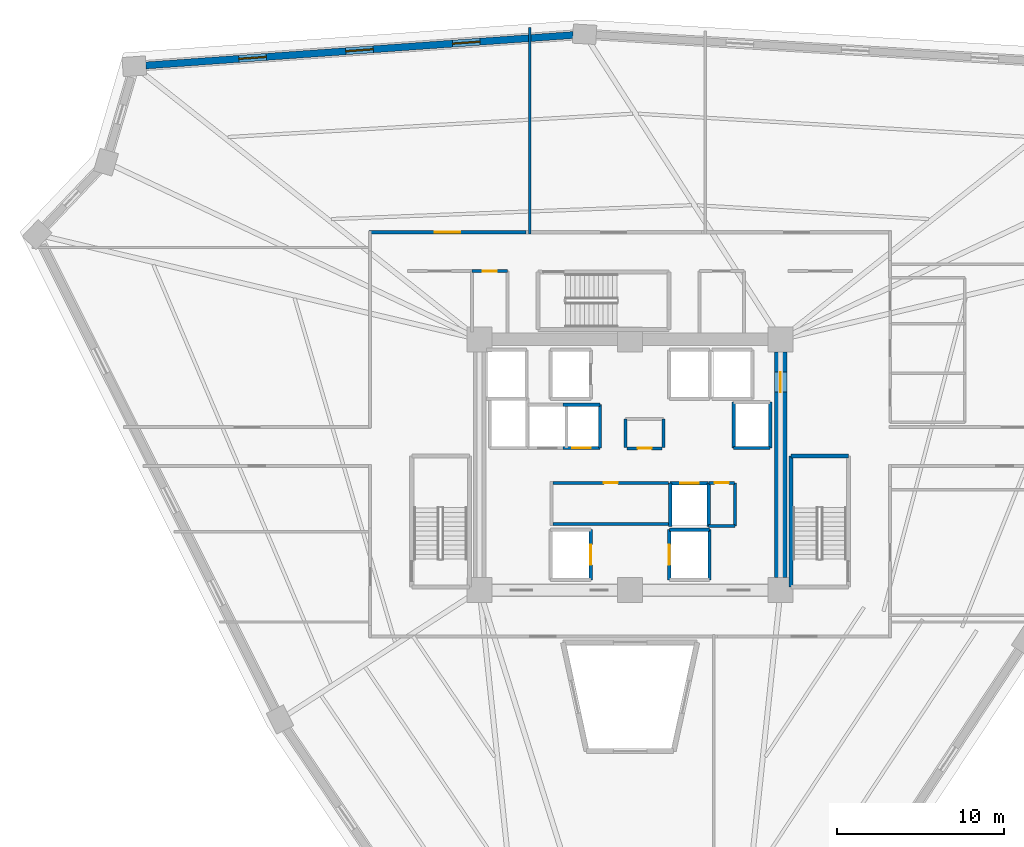
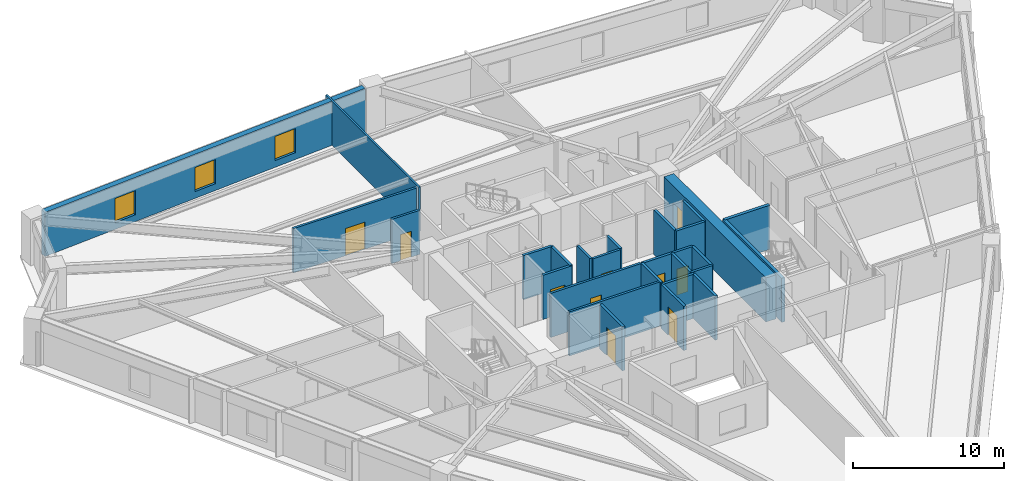
# One storey, part 5 of 8: 28 walls, 10 doors, 3 windows, 13 openings.
"""IFC4 building model written with IfcOpenShell, lengths in metres."""

from ifc_helpers import new_model, si_unit, direction, frame, frame_2d, origin, place, context, subcontext, project, spatial, rectangle, extrude, source, transform, mapped, material, layer, layer_set, type_object, element, fill, save


model = new_model("IFC4")

# Units and contexts
model_context = context("Model", 3, precision=1e-05, world=origin(), true_north=direction((0.0, 1.0)))
body_context = subcontext(model_context, "Body", "Model", "MODEL_VIEW")
ifc_project = project(units=[si_unit("LENGTHUNIT", "METRE"), si_unit("AREAUNIT", "SQUARE_METRE"), si_unit("VOLUMEUNIT", "CUBIC_METRE"), si_unit("PLANEANGLEUNIT", "RADIAN"), si_unit("MASSUNIT", "GRAM", prefix="KILO")], contexts=[model_context])

# Site, building, storey
site_placement = place(None, origin())
site = spatial("IfcSite", under=ifc_project, at=site_placement, CompositionType="ELEMENT")
building_placement = place(site_placement, origin())
building = spatial("IfcBuilding", under=site, at=building_placement, Name="Liaohun Quay Tower", CompositionType="ELEMENT")
storey_placement = place(building_placement, frame((0.0, 0.0, 147.75)))
storey = spatial("IfcBuildingStorey", under=building, at=storey_placement, Name="L38", CompositionType="ELEMENT", Elevation=147.75)

# Wall, opening, door
ifc_material_1 = material(Name="Concrete C60", Category="concrete")
ifc_layer_1 = layer(ifc_material_1, 0.75, Name="Concrete C60", Category="concrete")
ifc_layer_set_1 = layer_set([ifc_layer_1], Name="Concrete C60")
wall_type_1 = type_object("IfcWallType", Name="WAL-COR-Z2", PredefinedType="SHEAR", material=ifc_layer_set_1)
wall_1_placement = place(storey_placement, frame((69.0, 60.75, 0.0), z_axis=(0.0, 0.0, 1.0), x_axis=(0.0, -1.0, 0.0)))
wall_1 = element("IfcWall", 1, at=wall_1_placement, inside=storey, type_object=wall_type_1, Name="L38 Central Core Shear Wall E", PredefinedType="SHEAR", context=body_context, shape_type="SweptSolid", body=[
    extrude(rectangle(XDim=13.5, YDim=0.75, at=frame_2d((6.75, 0.0))), origin(), (0.0, 0.0, 1.0), 3.570068359375),
])
shared_shape_1 = source(origin(), body_context, "Body", "SweptSolid", [
    extrude(rectangle(XDim=1.199951171875, YDim=2.199951171875, at=frame_2d((0.60009765625, 1.10009765625))), frame((0.0, 0.385009765625, 0.0), z_axis=(0.0, -1.0, 0.0), x_axis=(1.0, 0.0, 0.0)), (0.0, 0.0, 1.0), 0.77001953125),
])
opening_1_placement = place(wall_1_placement, frame((1.199951171875, 0.0, 0.0)))
opening_1 = element("IfcOpeningElement", 2, at=opening_1_placement, cuts=wall_1, Name="Opening SD1", PredefinedType="OPENING", context=body_context, shape_type="MappedRepresentation", body=[
    mapped(shared_shape_1, transform((0.0, 0.0, 0.0), x_axis=(1.0, 0.0, 0.0), y_axis=(0.0, 1.0, 0.0), z_axis=(0.0, 0.0, 1.0), scale=1.0)),
])
ifc_material_2 = material(Name="Galvanised steel fire door", Category="steel")
door_type_1 = type_object("IfcDoorType", Name="DOR-STR-1200", OperationType="NOTDEFINED", PredefinedType="DOOR", material=ifc_material_2)
shared_shape_2 = source(origin(), body_context, "Body", "SweptSolid", [
    extrude(rectangle(XDim=1.199951171875, YDim=2.199951171875, at=frame_2d((0.60009765625, 1.10009765625))), frame((0.0, 0.02490234375, 0.0), z_axis=(0.0, -1.0, 0.0), x_axis=(1.0, 0.0, 0.0)), (0.0, 0.0, 1.0), 0.050048828125),
])
door_1_placement = place(opening_1_placement, origin())
door_1 = element("IfcDoor", 3, at=door_1_placement, inside=storey, type_object=door_type_1, Name="L38 North-East Core Lobby Smokeproof Door", OperationType="SINGLE_SWING_LEFT", OverallHeight=2.199951171875, OverallWidth=1.199951171875, PredefinedType="DOOR", context=body_context, shape_type="MappedRepresentation", body=[
    mapped(shared_shape_2, transform((0.0, 0.0, 0.0), x_axis=(1.0, 0.0, 0.0), y_axis=(0.0, 1.0, 0.0), z_axis=(0.0, 0.0, 1.0), scale=1.0)),
])
fill(opening_1, door_1)

# Wall, openings, windows
ifc_material_3 = material(Name="Precast concrete C50 insulated sandwich", Category="concrete")
ifc_layer_2 = layer(ifc_material_3, 0.419921875, Name="Precast concrete C50 insulated sandwich", Category="concrete")
ifc_layer_set_2 = layer_set([ifc_layer_2], Name="Precast concrete C50 insulated sandwich")
wall_type_2 = type_object("IfcWallType", Name="WAL-EXT-Z12", PredefinedType="SOLIDWALL", material=ifc_layer_set_2)
wall_2_placement = place(storey_placement, frame((56.590087890625, 79.705078125, 0.0), z_axis=(0.0, 0.0, 1.0), x_axis=(-0.997476660497, -0.070995153099, 0.0)))
wall_2 = element("IfcWall", 4, at=wall_2_placement, inside=storey, type_object=wall_type_2, Name="L38 Brutalist Precast Pier Wall 07", PredefinedType="SOLIDWALL", context=body_context, shape_type="SweptSolid", body=[
    extrude(rectangle(XDim=25.622802734375, YDim=0.419921875, at=frame_2d((12.8115234375, 0.0))), origin(), (0.0, 0.0, 1.0), 3.570068359375),
])
shared_shape_3 = source(origin(), body_context, "Body", "SweptSolid", [
    extrude(rectangle(XDim=1.64990234375, YDim=1.949951171875, at=frame_2d((0.824951171875, 0.97509765625))), frame((0.0, 0.219970703125, 0.0), z_axis=(0.0, -1.0, 0.0), x_axis=(1.0, 0.0, 0.0)), (0.0, 0.0, 1.0), 0.43994140625),
])
opening_2_placement = place(wall_2_placement, frame((5.5810546875, 0.0, 0.550048828125)))
opening_2 = element("IfcOpeningElement", 5, at=opening_2_placement, cuts=wall_2, Name="Opening W02", PredefinedType="OPENING", context=body_context, shape_type="MappedRepresentation", body=[
    mapped(shared_shape_3, transform((0.0, 0.0, 0.0), x_axis=(1.0, 0.0, 0.0), y_axis=(0.0, 1.0, 0.0), z_axis=(0.0, 0.0, 1.0), scale=1.0)),
])
opening_3_placement = place(wall_2_placement, frame((11.986083984375, 0.0, 0.550048828125)))
opening_3 = element("IfcOpeningElement", 6, at=opening_3_placement, cuts=wall_2, Name="Opening W02", PredefinedType="OPENING", context=body_context, shape_type="MappedRepresentation", body=[
    mapped(shared_shape_3, transform((0.0, 0.0, 0.0), x_axis=(1.0, 0.0, 0.0), y_axis=(0.0, 1.0, 0.0), z_axis=(0.0, 0.0, 1.0), scale=1.0)),
])
opening_4_placement = place(wall_2_placement, frame((18.39208984375, 0.0, 0.550048828125)))
opening_4 = element("IfcOpeningElement", 7, at=opening_4_placement, cuts=wall_2, Name="Opening W02", PredefinedType="OPENING", context=body_context, shape_type="MappedRepresentation", body=[
    mapped(shared_shape_3, transform((0.0, 0.0, 0.0), x_axis=(1.0, 0.0, 0.0), y_axis=(0.0, 1.0, 0.0), z_axis=(0.0, 0.0, 1.0), scale=1.0)),
])
ifc_material_4 = material(Name="Triple Low-E argon glazing in thermally broken aluminium", Category="aluminium")
window_type = type_object("IfcWindowType", Name="WIN-PUN-Z2", PartitioningType="DOUBLE_PANEL_VERTICAL", PredefinedType="WINDOW", material=ifc_material_4)
shared_shape_4 = source(origin(), body_context, "Body", "SweptSolid", [
    extrude(rectangle(XDim=1.64990234375, YDim=1.949951171875, at=frame_2d((0.824951171875, 0.97509765625))), frame((0.0, 0.030029296875, 0.0), z_axis=(0.0, -1.0, 0.0), x_axis=(1.0, 0.0, 0.0)), (0.0, 0.0, 1.0), 0.06005859375),
])
window_1_placement = place(opening_2_placement, origin())
window_1 = element("IfcWindow", 8, at=window_1_placement, inside=storey, type_object=window_type, Name="L38 Recessed Cold-Climate Punched Window 07-1", OverallHeight=1.949951171875, OverallWidth=1.64990234375, PartitioningType="DOUBLE_PANEL_VERTICAL", PredefinedType="WINDOW", context=body_context, shape_type="MappedRepresentation", body=[
    mapped(shared_shape_4, transform((0.0, 0.0, 0.0), x_axis=(1.0, 0.0, 0.0), y_axis=(0.0, 1.0, 0.0), z_axis=(0.0, 0.0, 1.0), scale=1.0)),
])
fill(opening_2, window_1)
window_2_placement = place(opening_3_placement, origin())
window_2 = element("IfcWindow", 9, at=window_2_placement, inside=storey, type_object=window_type, Name="L38 Recessed Cold-Climate Punched Window 07-2", OverallHeight=1.949951171875, OverallWidth=1.64990234375, PartitioningType="DOUBLE_PANEL_VERTICAL", PredefinedType="WINDOW", context=body_context, shape_type="MappedRepresentation", body=[
    mapped(shared_shape_4, transform((0.0, 0.0, 0.0), x_axis=(1.0, 0.0, 0.0), y_axis=(0.0, 1.0, 0.0), z_axis=(0.0, 0.0, 1.0), scale=1.0)),
])
fill(opening_3, window_2)
window_3_placement = place(opening_4_placement, origin())
window_3 = element("IfcWindow", 10, at=window_3_placement, inside=storey, type_object=window_type, Name="L38 Recessed Cold-Climate Punched Window 07-3", OverallHeight=1.949951171875, OverallWidth=1.64990234375, PartitioningType="DOUBLE_PANEL_VERTICAL", PredefinedType="WINDOW", context=body_context, shape_type="MappedRepresentation", body=[
    mapped(shared_shape_4, transform((0.0, 0.0, 0.0), x_axis=(1.0, 0.0, 0.0), y_axis=(0.0, 1.0, 0.0), z_axis=(0.0, 0.0, 1.0), scale=1.0)),
])
fill(opening_4, window_3)

# Wall, opening, door
ifc_material_5 = material(Name="Autoclaved aerated concrete blockwork", Category="masonry")
ifc_layer_3 = layer(ifc_material_5, 0.179931640625, Name="Autoclaved aerated concrete blockwork", Category="masonry")
ifc_layer_set_3 = layer_set([ifc_layer_3], Name="Autoclaved aerated concrete blockwork")
wall_type_3 = type_object("IfcWallType", Name="WAL-PRT-COR", PredefinedType="PARTITIONING", material=ifc_layer_set_3)
wall_3_placement = place(storey_placement, frame((55.389892578125, 52.919921875, 0.0), z_axis=(0.0, 0.0, 1.0), x_axis=(1.0, 0.0, 0.0)))
wall_3 = element("IfcWall", 11, at=wall_3_placement, inside=storey, type_object=wall_type_3, Name="L38 Interior Partition Wall 001", PredefinedType="PARTITIONING", context=body_context, shape_type="SweptSolid", body=[
    extrude(rectangle(XDim=6.91015625, YDim=0.179931640625, at=frame_2d((3.455078125, 0.0))), origin(), (0.0, 0.0, 1.0), 3.570068359375),
])
shared_shape_5 = source(origin(), body_context, "Body", "SweptSolid", [
    extrude(rectangle(XDim=0.85009765625, YDim=2.10009765625, at=frame_2d((0.425048828125, 1.050048828125))), frame((0.0, 0.099853515625, 0.0), z_axis=(0.0, -1.0, 0.0), x_axis=(1.0, 0.0, 0.0)), (0.0, 0.0, 1.0), 0.199951171875),
])
opening_5_placement = place(wall_3_placement, frame((3.034912109375, 0.0, 0.0)))
opening_5 = element("IfcOpeningElement", 12, at=opening_5_placement, cuts=wall_3, Name="Opening AD1", PredefinedType="OPENING", context=body_context, shape_type="MappedRepresentation", body=[
    mapped(shared_shape_5, transform((0.0, 0.0, 0.0), x_axis=(1.0, 0.0, 0.0), y_axis=(0.0, 1.0, 0.0), z_axis=(0.0, 0.0, 1.0), scale=1.0)),
])
ifc_material_6 = material(Name="Steel riser inspection fire door", Category="steel")
door_type_2 = type_object("IfcDoorType", Name="DOR-SHF-850", OperationType="NOTDEFINED", PredefinedType="DOOR", material=ifc_material_6)
shared_shape_6 = source(origin(), body_context, "Body", "SweptSolid", [
    extrude(rectangle(XDim=0.85009765625, YDim=2.10009765625, at=frame_2d((0.425048828125, 1.050048828125))), frame((0.0, 0.02490234375, 0.0), z_axis=(0.0, -1.0, 0.0), x_axis=(1.0, 0.0, 0.0)), (0.0, 0.0, 1.0), 0.050048828125),
])
door_2_placement = place(opening_5_placement, origin())
door_2 = element("IfcDoor", 13, at=door_2_placement, inside=storey, type_object=door_type_2, Name="L38 Core Tenant Storage and Archive Room Door", OperationType="SINGLE_SWING_LEFT", OverallHeight=2.10009765625, OverallWidth=0.85009765625, PredefinedType="DOOR", context=body_context, shape_type="MappedRepresentation", body=[
    mapped(shared_shape_6, transform((0.0, 0.0, 0.0), x_axis=(1.0, 0.0, 0.0), y_axis=(0.0, 1.0, 0.0), z_axis=(0.0, 0.0, 1.0), scale=1.0)),
])
fill(opening_5, door_2)

wall_4_placement = place(storey_placement, frame((59.81005859375, 54.97998046875, 0.0), z_axis=(0.0, 0.0, 1.0), x_axis=(1.0, 0.0, 0.0)))
wall_4 = element("IfcWall", 14, at=wall_4_placement, inside=storey, type_object=wall_type_3, Name="L38 Interior Partition Wall 002", PredefinedType="PARTITIONING", context=body_context, shape_type="SweptSolid", body=[
    extrude(rectangle(XDim=2.10986328125, YDim=0.179931640625, at=frame_2d((1.054931640625, 0.0))), origin(), (0.0, 0.0, 1.0), 3.570068359375),
])
opening_6_placement = place(wall_4_placement, frame((0.635009765625, 0.0, 0.0)))
opening_6 = element("IfcOpeningElement", 15, at=opening_6_placement, cuts=wall_4, Name="Opening AD1", PredefinedType="OPENING", context=body_context, shape_type="MappedRepresentation", body=[
    mapped(shared_shape_5, transform((0.0, 0.0, 0.0), x_axis=(1.0, 0.0, 0.0), y_axis=(0.0, 1.0, 0.0), z_axis=(0.0, 0.0, 1.0), scale=1.0)),
])
door_3_placement = place(opening_6_placement, origin())
door_3 = element("IfcDoor", 16, at=door_3_placement, inside=storey, type_object=door_type_2, Name="L38 Electrical Meter Room Door", OperationType="SINGLE_SWING_RIGHT", OverallHeight=2.10009765625, OverallWidth=0.85009765625, PredefinedType="DOOR", context=body_context, shape_type="MappedRepresentation", body=[
    mapped(shared_shape_6, transform((0.0, 0.0, 0.0), x_axis=(1.0, 0.0, 0.0), y_axis=(0.0, 1.0, 0.0), z_axis=(0.0, 0.0, 1.0), scale=1.0)),
])
fill(opening_6, door_3)

wall_5_placement = place(storey_placement, frame((64.719970703125, 52.919921875, 0.0), z_axis=(0.0, 0.0, 1.0), x_axis=(1.0, 0.0, 0.0)))
wall_5 = element("IfcWall", 17, at=wall_5_placement, inside=storey, type_object=wall_type_3, Name="L38 Interior Partition Wall 003", PredefinedType="PARTITIONING", context=body_context, shape_type="SweptSolid", body=[
    extrude(rectangle(XDim=1.530029296875, YDim=0.179931640625, at=frame_2d((0.76513671875, 0.0))), origin(), (0.0, 0.0, 1.0), 3.570068359375),
])
opening_7_placement = place(wall_5_placement, frame((0.340087890625, 0.0, 0.0)))
opening_7 = element("IfcOpeningElement", 18, at=opening_7_placement, cuts=wall_5, Name="Opening AD1", PredefinedType="OPENING", context=body_context, shape_type="MappedRepresentation", body=[
    mapped(shared_shape_5, transform((0.0, 0.0, 0.0), x_axis=(1.0, 0.0, 0.0), y_axis=(0.0, 1.0, 0.0), z_axis=(0.0, 0.0, 1.0), scale=1.0)),
])
door_4_placement = place(opening_7_placement, origin())
door_4 = element("IfcDoor", 19, at=door_4_placement, inside=storey, type_object=door_type_2, Name="L38 BMS Data Riser Room Door", OperationType="SINGLE_SWING_LEFT", OverallHeight=2.10009765625, OverallWidth=0.85009765625, PredefinedType="DOOR", context=body_context, shape_type="MappedRepresentation", body=[
    mapped(shared_shape_6, transform((0.0, 0.0, 0.0), x_axis=(1.0, 0.0, 0.0), y_axis=(0.0, 1.0, 0.0), z_axis=(0.0, 0.0, 1.0), scale=1.0)),
])
fill(opening_7, door_4)

wall_6_placement = place(storey_placement, frame((50.5400390625, 65.580078125, 0.0), z_axis=(0.0, 0.0, 1.0), x_axis=(1.0, 0.0, 0.0)))
wall_6 = element("IfcWall", 20, at=wall_6_placement, inside=storey, type_object=wall_type_3, Name="L38 Interior Partition Wall 007", PredefinedType="PARTITIONING", context=body_context, shape_type="SweptSolid", body=[
    extrude(rectangle(XDim=2.139892578125, YDim=0.179931640625, at=frame_2d((1.06982421875, 0.0))), origin(), (0.0, 0.0, 1.0), 3.570068359375),
])
opening_8_placement = place(wall_6_placement, frame((0.64501953125, 0.0, 0.0)))
opening_8 = element("IfcOpeningElement", 21, at=opening_8_placement, cuts=wall_6, Name="Opening AD1", PredefinedType="OPENING", context=body_context, shape_type="MappedRepresentation", body=[
    mapped(shared_shape_5, transform((0.0, 0.0, 0.0), x_axis=(1.0, 0.0, 0.0), y_axis=(0.0, 1.0, 0.0), z_axis=(0.0, 0.0, 1.0), scale=1.0)),
])
door_5_placement = place(opening_8_placement, origin())
door_5 = element("IfcDoor", 22, at=door_5_placement, inside=storey, type_object=door_type_2, Name="L38 North-West Supply Store Door", OperationType="SINGLE_SWING_LEFT", OverallHeight=2.10009765625, OverallWidth=0.85009765625, PredefinedType="DOOR", context=body_context, shape_type="MappedRepresentation", body=[
    mapped(shared_shape_6, transform((0.0, 0.0, 0.0), x_axis=(1.0, 0.0, 0.0), y_axis=(0.0, 1.0, 0.0), z_axis=(0.0, 0.0, 1.0), scale=1.0)),
])
fill(opening_8, door_5)

wall_7_placement = place(storey_placement, frame((44.3701171875, 67.909912109375, 0.0), z_axis=(0.0, 0.0, 1.0), x_axis=(1.0, 0.0, 0.0)))
wall_7 = element("IfcWall", 23, at=wall_7_placement, inside=storey, type_object=wall_type_3, Name="L38 Interior Partition Wall 014", PredefinedType="PARTITIONING", context=body_context, shape_type="SweptSolid", body=[
    extrude(rectangle(XDim=9.414794921875, YDim=0.179931640625, at=frame_2d((4.70751953125, 0.0))), origin(), (0.0, 0.0, 1.0), 3.570068359375),
])
shared_shape_7 = source(origin(), body_context, "Body", "SweptSolid", [
    extrude(rectangle(XDim=1.5, YDim=2.199951171875, at=frame_2d((0.75, 1.10009765625))), frame((0.0, 0.099853515625, 0.0), z_axis=(0.0, -1.0, 0.0), x_axis=(1.0, 0.0, 0.0)), (0.0, 0.0, 1.0), 0.199951171875),
])
opening_9_placement = place(wall_7_placement, frame((3.95703125, 0.0, 0.0)))
opening_9 = element("IfcOpeningElement", 24, at=opening_9_placement, cuts=wall_7, Name="Opening OD2", PredefinedType="OPENING", context=body_context, shape_type="MappedRepresentation", body=[
    mapped(shared_shape_7, transform((0.0, 0.0, 0.0), x_axis=(1.0, 0.0, 0.0), y_axis=(0.0, 1.0, 0.0), z_axis=(0.0, 0.0, 1.0), scale=1.0)),
])
ifc_material_7 = material(Name="Acoustic oak veneer double door")
door_type_3 = type_object("IfcDoorType", Name="DOR-OFF-1500", OperationType="DOUBLE_DOOR_SINGLE_SWING", PredefinedType="DOOR", material=ifc_material_7)
shared_shape_8 = source(origin(), body_context, "Body", "SweptSolid", [
    extrude(rectangle(XDim=1.5, YDim=2.199951171875, at=frame_2d((0.75, 1.10009765625))), frame((0.0, 0.02490234375, 0.0), z_axis=(0.0, -1.0, 0.0), x_axis=(1.0, 0.0, 0.0)), (0.0, 0.0, 1.0), 0.050048828125),
])
door_6_placement = place(opening_9_placement, origin())
door_6 = element("IfcDoor", 25, at=door_6_placement, inside=storey, type_object=door_type_3, Name="L38 Project Collaboration Studio 04 Door", OperationType="DOUBLE_DOOR_SINGLE_SWING", OverallHeight=2.199951171875, OverallWidth=1.5, PredefinedType="DOOR", context=body_context, shape_type="MappedRepresentation", body=[
    mapped(shared_shape_8, transform((0.0, 0.0, 0.0), x_axis=(1.0, 0.0, 0.0), y_axis=(0.0, 1.0, 0.0), z_axis=(0.0, 0.0, 1.0), scale=1.0)),
])
fill(opening_9, door_6)

# Walls
for number, where, z_axis, x_axis, name in (
    (26, (59.719970703125, 55.02001953125, 0.0), (0.0, 0.0, 1.0), (0.0, 1.0, 0.0), "L38 Interior Partition Wall 022"),
    (27, (62.010009765625, 55.02001953125, 0.0), (0.0, 0.0, 1.0), (0.0, 1.0, 0.0), "L38 Interior Partition Wall 023"),
):
    element("IfcWall", number, at=place(storey_placement, frame(where, z_axis=z_axis, x_axis=x_axis)), inside=storey, type_object=wall_type_3, Name=name, PredefinedType="PARTITIONING", context=body_context, shape_type="SweptSolid", body=[
        extrude(rectangle(XDim=1.72998046875, YDim=0.179931640625, at=frame_2d((0.864990234375, 0.0))), origin(), (0.0, 0.0, 1.0), 3.570068359375),
    ])
wall_8_placement = place(storey_placement, frame((64.68994140625, 50.35009765625, 0.0), z_axis=(0.0, 0.0, 1.0), x_axis=(1.0, 0.0, 0.0)))
element("IfcWall", 28, at=wall_8_placement, inside=storey, type_object=wall_type_3, Name="L38 Interior Partition Wall 025", PredefinedType="PARTITIONING", context=body_context, shape_type="SweptSolid", body=[
    extrude(rectangle(XDim=1.590087890625, YDim=0.179931640625, at=frame_2d((0.794921875, 0.0))), origin(), (0.0, 0.0, 1.0), 3.570068359375),
])
wall_9_placement = place(storey_placement, frame((66.280029296875, 50.35009765625, 0.0), z_axis=(0.0, 0.0, 1.0), x_axis=(0.0, 1.0, 0.0)))
element("IfcWall", 29, at=wall_9_placement, inside=storey, type_object=wall_type_3, Name="L38 Interior Partition Wall 026", PredefinedType="PARTITIONING", context=body_context, shape_type="SweptSolid", body=[
    extrude(rectangle(XDim=2.56982421875, YDim=0.179931640625, at=frame_2d((1.284912109375, 0.0))), origin(), (0.0, 0.0, 1.0), 3.570068359375),
])
wall_10_placement = place(storey_placement, frame((55.389892578125, 50.449951171875, 0.0), z_axis=(0.0, 0.0, 1.0), x_axis=(1.0, 0.0, 0.0)))
element("IfcWall", 30, at=wall_10_placement, inside=storey, type_object=wall_type_3, Name="L38 Interior Partition Wall 055", PredefinedType="PARTITIONING", context=body_context, shape_type="SweptSolid", body=[
    extrude(rectangle(XDim=6.91015625, YDim=0.179931640625, at=frame_2d((3.455078125, 0.0))), origin(), (0.0, 0.0, 1.0), 3.570068359375),
])
ifc_material_8 = material(Name="Gypsum board on twin steel studs", Category="steel")
ifc_layer_4 = layer(ifc_material_8, 0.139892578125, Name="Gypsum board on twin steel studs", Category="steel")
ifc_layer_set_4 = layer_set([ifc_layer_4], Name="Gypsum board on twin steel studs")
wall_type_4 = type_object("IfcWallType", Name="WAL-PRT-OFF", PredefinedType="PARTITIONING", material=ifc_layer_set_4)
wall_11_placement = place(storey_placement, frame((54.0, 67.81005859375, 0.0), z_axis=(0.0, 0.0, 1.0), x_axis=(0.0, 1.0, 0.0)))
element("IfcWall", 31, at=wall_11_placement, inside=storey, type_object=wall_type_4, Name="L38 Interior Partition Wall 051", PredefinedType="PARTITIONING", context=body_context, shape_type="SweptSolid", body=[
    extrude(rectangle(XDim=12.342041015625, YDim=0.139892578125, at=frame_2d((6.1708984375, 0.0))), origin(), (0.0, 0.0, 1.0), 3.570068359375),
])
ifc_material_9 = material(Name="Concrete C50", Category="concrete")
ifc_layer_5 = layer(ifc_material_9, 0.239990234375, Name="Concrete C50", Category="concrete")
ifc_layer_set_5 = layer_set([ifc_layer_5], Name="Concrete C50")
wall_type_5 = type_object("IfcWallType", Name="WAL-SHF-200", PredefinedType="SOLIDWALL", material=ifc_layer_set_5)
wall_12_placement = place(storey_placement, frame((73.06005859375, 54.52001953125, 0.0), z_axis=(0.0, 0.0, 1.0), x_axis=(-1.0, 0.0, 0.0)))
element("IfcWall", 32, at=wall_12_placement, inside=storey, type_object=wall_type_5, Name="L38 Stairwell ST-2 Structural Core Wall N", PredefinedType="SOLIDWALL", context=body_context, shape_type="SweptSolid", body=[
    extrude(rectangle(XDim=3.43994140625, YDim=0.239990234375, at=frame_2d((1.719970703125, 0.0))), origin(), (0.0, 0.0, 1.0), 3.570068359375),
])
wall_13_placement = place(storey_placement, frame((69.6201171875, 54.52001953125, 0.0), z_axis=(0.0, 0.0, 1.0), x_axis=(0.0, -1.0, 0.0)))
element("IfcWall", 33, at=wall_13_placement, inside=storey, type_object=wall_type_5, Name="L38 Stairwell ST-2 Structural Core Wall W", PredefinedType="SOLIDWALL", context=body_context, shape_type="SweptSolid", body=[
    extrude(rectangle(XDim=7.820068359375, YDim=0.239990234375, at=frame_2d((3.91015625, 0.0))), origin(), (0.0, 0.0, 1.0), 3.570068359375),
])

# Wall, opening, door
wall_14_placement = place(storey_placement, frame((57.64990234375, 47.1201171875, 0.0), z_axis=(0.0, 0.0, 1.0), x_axis=(0.0, 1.0, 0.0)))
wall_14 = element("IfcWall", 34, at=wall_14_placement, inside=storey, type_object=wall_type_5, Name="L38 Lift FF-01 Hoistway Wall E", PredefinedType="SOLIDWALL", context=body_context, shape_type="SweptSolid", body=[
    extrude(rectangle(XDim=3.0, YDim=0.199951171875, at=frame_2d((1.5, 0.0))), origin(), (0.0, 0.0, 1.0), 3.570068359375),
])
shared_shape_9 = source(origin(), body_context, "Body", "SweptSolid", [
    extrude(rectangle(XDim=1.199951171875, YDim=2.300048828125, at=frame_2d((0.60009765625, 1.14990234375))), frame((0.0, 0.10986328125, 0.0), z_axis=(0.0, -1.0, 0.0), x_axis=(1.0, 0.0, 0.0)), (0.0, 0.0, 1.0), 0.219970703125),
])
opening_10_placement = place(wall_14_placement, frame((0.89990234375, 0.0, 0.0)))
opening_10 = element("IfcOpeningElement", 35, at=opening_10_placement, cuts=wall_14, Name="Opening LD2", PredefinedType="OPENING", context=body_context, shape_type="MappedRepresentation", body=[
    mapped(shared_shape_9, transform((0.0, 0.0, 0.0), x_axis=(1.0, 0.0, 0.0), y_axis=(0.0, 1.0, 0.0), z_axis=(0.0, 0.0, 1.0), scale=1.0)),
])
ifc_material_10 = material(Name="Brushed stainless steel stretcher landing door", Category="steel")
door_type_4 = type_object("IfcDoorType", Name="DOR-LFT-1200", OperationType="SLIDING_TO_LEFT", PredefinedType="DOOR", material=ifc_material_10)
shared_shape_10 = source(origin(), body_context, "Body", "SweptSolid", [
    extrude(rectangle(XDim=1.199951171875, YDim=2.300048828125, at=frame_2d((0.60009765625, 1.14990234375))), frame((0.0, 0.02490234375, 0.0), z_axis=(0.0, -1.0, 0.0), x_axis=(1.0, 0.0, 0.0)), (0.0, 0.0, 1.0), 0.050048828125),
])
door_7_placement = place(opening_10_placement, origin())
door_7 = element("IfcDoor", 36, at=door_7_placement, inside=storey, type_object=door_type_4, Name="L38 Lift FF-01 Sliding Landing Door", OperationType="SLIDING_TO_LEFT", OverallHeight=2.300048828125, OverallWidth=1.199951171875, PredefinedType="DOOR", context=body_context, shape_type="MappedRepresentation", body=[
    mapped(shared_shape_10, transform((0.0, 0.0, 0.0), x_axis=(1.0, 0.0, 0.0), y_axis=(0.0, 1.0, 0.0), z_axis=(0.0, 0.0, 1.0), scale=1.0)),
])
fill(opening_10, door_7)

# Walls
wall_15_placement = place(storey_placement, frame((64.75, 47.1201171875, 0.0), z_axis=(0.0, 0.0, 1.0), x_axis=(0.0, 1.0, 0.0)))
element("IfcWall", 37, at=wall_15_placement, inside=storey, type_object=wall_type_5, Name="L38 Lift FF-02 Hoistway Wall E", PredefinedType="SOLIDWALL", context=body_context, shape_type="SweptSolid", body=[
    extrude(rectangle(XDim=3.0, YDim=0.199951171875, at=frame_2d((1.5, 0.0))), origin(), (0.0, 0.0, 1.0), 3.570068359375),
])
wall_16_placement = place(storey_placement, frame((64.75, 50.1201171875, 0.0), z_axis=(0.0, 0.0, 1.0), x_axis=(-1.0, 0.0, 0.0)))
element("IfcWall", 38, at=wall_16_placement, inside=storey, type_object=wall_type_5, Name="L38 Lift FF-02 Hoistway Wall N", PredefinedType="SOLIDWALL", context=body_context, shape_type="SweptSolid", body=[
    extrude(rectangle(XDim=2.39990234375, YDim=0.199951171875, at=frame_2d((1.199951171875, 0.0))), origin(), (0.0, 0.0, 1.0), 3.570068359375),
])

# Wall, opening, door
wall_17_placement = place(storey_placement, frame((62.35009765625, 50.1201171875, 0.0), z_axis=(0.0, 0.0, 1.0), x_axis=(0.0, -1.0, 0.0)))
wall_17 = element("IfcWall", 39, at=wall_17_placement, inside=storey, type_object=wall_type_5, Name="L38 Lift FF-02 Hoistway Wall W", PredefinedType="SOLIDWALL", context=body_context, shape_type="SweptSolid", body=[
    extrude(rectangle(XDim=3.0, YDim=0.199951171875, at=frame_2d((1.5, 0.0))), origin(), (0.0, 0.0, 1.0), 3.570068359375),
])
opening_11_placement = place(wall_17_placement, frame((0.89990234375, 0.0, 0.0)))
opening_11 = element("IfcOpeningElement", 40, at=opening_11_placement, cuts=wall_17, Name="Opening LD2", PredefinedType="OPENING", context=body_context, shape_type="MappedRepresentation", body=[
    mapped(shared_shape_9, transform((0.0, 0.0, 0.0), x_axis=(1.0, 0.0, 0.0), y_axis=(0.0, 1.0, 0.0), z_axis=(0.0, 0.0, 1.0), scale=1.0)),
])
door_8_placement = place(opening_11_placement, origin())
door_8 = element("IfcDoor", 41, at=door_8_placement, inside=storey, type_object=door_type_4, Name="L38 Lift FF-02 Sliding Landing Door", OperationType="SLIDING_TO_LEFT", OverallHeight=2.300048828125, OverallWidth=1.199951171875, PredefinedType="DOOR", context=body_context, shape_type="MappedRepresentation", body=[
    mapped(shared_shape_10, transform((0.0, 0.0, 0.0), x_axis=(1.0, 0.0, 0.0), y_axis=(0.0, 1.0, 0.0), z_axis=(0.0, 0.0, 1.0), scale=1.0)),
])
fill(opening_11, door_8)

# Walls
wall_18_placement = place(storey_placement, frame((66.199951171875, 55.0, 0.0), z_axis=(0.0, 0.0, 1.0), x_axis=(1.0, 0.0, 0.0)))
element("IfcWall", 42, at=wall_18_placement, inside=storey, type_object=wall_type_5, Name="L38 Lift SH-03 Hoistway Wall S", PredefinedType="SOLIDWALL", context=body_context, shape_type="SweptSolid", body=[
    extrude(rectangle(XDim=2.179931640625, YDim=0.199951171875, at=frame_2d((1.08984375, 0.0))), origin(), (0.0, 0.0, 1.0), 3.570068359375),
])
for number, where, z_axis, x_axis, name in (
    (43, (68.3798828125, 55.0, 0.0), (0.0, 0.0, 1.0), (0.0, 1.0, 0.0), "L38 Lift SH-03 Hoistway Wall E"),
    (44, (66.199951171875, 57.75, 0.0), (0.0, 0.0, 1.0), (0.0, -1.0, 0.0), "L38 Lift SH-03 Hoistway Wall W"),
):
    element("IfcWall", number, at=place(storey_placement, frame(where, z_axis=z_axis, x_axis=x_axis)), inside=storey, type_object=wall_type_5, Name=name, PredefinedType="SOLIDWALL", context=body_context, shape_type="SweptSolid", body=[
        extrude(rectangle(XDim=2.75, YDim=0.199951171875, at=frame_2d((1.375, 0.0))), origin(), (0.0, 0.0, 1.0), 3.570068359375),
    ])
wall_19_placement = place(storey_placement, frame((64.699951171875, 50.300048828125, 0.0), z_axis=(0.0, 0.0, 1.0), x_axis=(0.0, 1.0, 0.0)))
element("IfcWall", 45, at=wall_19_placement, inside=storey, type_object=wall_type_5, Name="L38 Lift PL-2A Hoistway Wall E", PredefinedType="SOLIDWALL", context=body_context, shape_type="SweptSolid", body=[
    extrude(rectangle(XDim=2.599853515625, YDim=0.199951171875, at=frame_2d((1.2998046875, 0.0))), origin(), (0.0, 0.0, 1.0), 3.570068359375),
])

# Wall, opening, door
wall_20_placement = place(storey_placement, frame((64.699951171875, 52.89990234375, 0.0), z_axis=(0.0, 0.0, 1.0), x_axis=(-1.0, 0.0, 0.0)))
wall_20 = element("IfcWall", 46, at=wall_20_placement, inside=storey, type_object=wall_type_5, Name="L38 Lift PL-2A Hoistway Wall N", PredefinedType="SOLIDWALL", context=body_context, shape_type="SweptSolid", body=[
    extrude(rectangle(XDim=2.300048828125, YDim=0.199951171875, at=frame_2d((1.14990234375, 0.0))), origin(), (0.0, 0.0, 1.0), 3.570068359375),
])
shared_shape_11 = source(origin(), body_context, "Body", "SweptSolid", [
    extrude(rectangle(XDim=1.10009765625, YDim=2.199951171875, at=frame_2d((0.550048828125, 1.10009765625))), frame((0.0, 0.10986328125, 0.0), z_axis=(0.0, -1.0, 0.0), x_axis=(1.0, 0.0, 0.0)), (0.0, 0.0, 1.0), 0.219970703125),
])
opening_12_placement = place(wall_20_placement, frame((0.60009765625, 0.0, 0.0)))
opening_12 = element("IfcOpeningElement", 47, at=opening_12_placement, cuts=wall_20, Name="Opening LD1", PredefinedType="OPENING", context=body_context, shape_type="MappedRepresentation", body=[
    mapped(shared_shape_11, transform((0.0, 0.0, 0.0), x_axis=(1.0, 0.0, 0.0), y_axis=(0.0, 1.0, 0.0), z_axis=(0.0, 0.0, 1.0), scale=1.0)),
])
ifc_material_11 = material(Name="Brushed stainless steel landing door", Category="steel")
door_type_5 = type_object("IfcDoorType", Name="DOR-LFT-1100", OperationType="SLIDING_TO_LEFT", PredefinedType="DOOR", material=ifc_material_11)
shared_shape_12 = source(origin(), body_context, "Body", "SweptSolid", [
    extrude(rectangle(XDim=1.10009765625, YDim=2.199951171875, at=frame_2d((0.550048828125, 1.10009765625))), frame((0.0, 0.02490234375, 0.0), z_axis=(0.0, -1.0, 0.0), x_axis=(1.0, 0.0, 0.0)), (0.0, 0.0, 1.0), 0.050048828125),
])
door_9_placement = place(opening_12_placement, origin())
door_9 = element("IfcDoor", 48, at=door_9_placement, inside=storey, type_object=door_type_5, Name="L38 Lift PL-2A Sliding Landing Door", OperationType="SLIDING_TO_LEFT", OverallHeight=2.199951171875, OverallWidth=1.10009765625, PredefinedType="DOOR", context=body_context, shape_type="MappedRepresentation", body=[
    mapped(shared_shape_12, transform((0.0, 0.0, 0.0), x_axis=(1.0, 0.0, 0.0), y_axis=(0.0, 1.0, 0.0), z_axis=(0.0, 0.0, 1.0), scale=1.0)),
])
fill(opening_12, door_9)

# Wall
wall_21_placement = place(storey_placement, frame((62.39990234375, 52.89990234375, 0.0), z_axis=(0.0, 0.0, 1.0), x_axis=(0.0, -1.0, 0.0)))
element("IfcWall", 49, at=wall_21_placement, inside=storey, type_object=wall_type_5, Name="L38 Lift PL-2A Hoistway Wall W", PredefinedType="SOLIDWALL", context=body_context, shape_type="SweptSolid", body=[
    extrude(rectangle(XDim=2.599853515625, YDim=0.199951171875, at=frame_2d((1.2998046875, 0.0))), origin(), (0.0, 0.0, 1.0), 3.570068359375),
])

# Wall, opening, door
wall_22_placement = place(storey_placement, frame((56.0, 55.0, 0.0), z_axis=(0.0, 0.0, 1.0), x_axis=(1.0, 0.0, 0.0)))
wall_22 = element("IfcWall", 50, at=wall_22_placement, inside=storey, type_object=wall_type_5, Name="L38 Lift PL-2C Hoistway Wall S", PredefinedType="SOLIDWALL", context=body_context, shape_type="SweptSolid", body=[
    extrude(rectangle(XDim=2.199951171875, YDim=0.199951171875, at=frame_2d((1.10009765625, 0.0))), origin(), (0.0, 0.0, 1.0), 3.570068359375),
])
opening_13_placement = place(wall_22_placement, frame((0.550048828125, 0.0, 0.0)))
opening_13 = element("IfcOpeningElement", 51, at=opening_13_placement, cuts=wall_22, Name="Opening LD1", PredefinedType="OPENING", context=body_context, shape_type="MappedRepresentation", body=[
    mapped(shared_shape_11, transform((0.0, 0.0, 0.0), x_axis=(1.0, 0.0, 0.0), y_axis=(0.0, 1.0, 0.0), z_axis=(0.0, 0.0, 1.0), scale=1.0)),
])
door_10_placement = place(opening_13_placement, origin())
door_10 = element("IfcDoor", 52, at=door_10_placement, inside=storey, type_object=door_type_5, Name="L38 Lift PL-2C Sliding Landing Door", OperationType="SLIDING_TO_LEFT", OverallHeight=2.199951171875, OverallWidth=1.10009765625, PredefinedType="DOOR", context=body_context, shape_type="MappedRepresentation", body=[
    mapped(shared_shape_12, transform((0.0, 0.0, 0.0), x_axis=(1.0, 0.0, 0.0), y_axis=(0.0, 1.0, 0.0), z_axis=(0.0, 0.0, 1.0), scale=1.0)),
])
fill(opening_13, door_10)

# Walls
wall_23_placement = place(storey_placement, frame((58.199951171875, 55.0, 0.0), z_axis=(0.0, 0.0, 1.0), x_axis=(0.0, 1.0, 0.0)))
element("IfcWall", 53, at=wall_23_placement, inside=storey, type_object=wall_type_5, Name="L38 Lift PL-2C Hoistway Wall E", PredefinedType="SOLIDWALL", context=body_context, shape_type="SweptSolid", body=[
    extrude(rectangle(XDim=2.60009765625, YDim=0.199951171875, at=frame_2d((1.300048828125, 0.0))), origin(), (0.0, 0.0, 1.0), 3.570068359375),
])
wall_24_placement = place(storey_placement, frame((58.199951171875, 57.60009765625, 0.0), z_axis=(0.0, 0.0, 1.0), x_axis=(-1.0, 0.0, 0.0)))
element("IfcWall", 54, at=wall_24_placement, inside=storey, type_object=wall_type_5, Name="L38 Lift PL-2C Hoistway Wall N", PredefinedType="SOLIDWALL", context=body_context, shape_type="SweptSolid", body=[
    extrude(rectangle(XDim=2.199951171875, YDim=0.199951171875, at=frame_2d((1.10009765625, 0.0))), origin(), (0.0, 0.0, 1.0), 3.570068359375),
])

save(model, "model.ifc")
